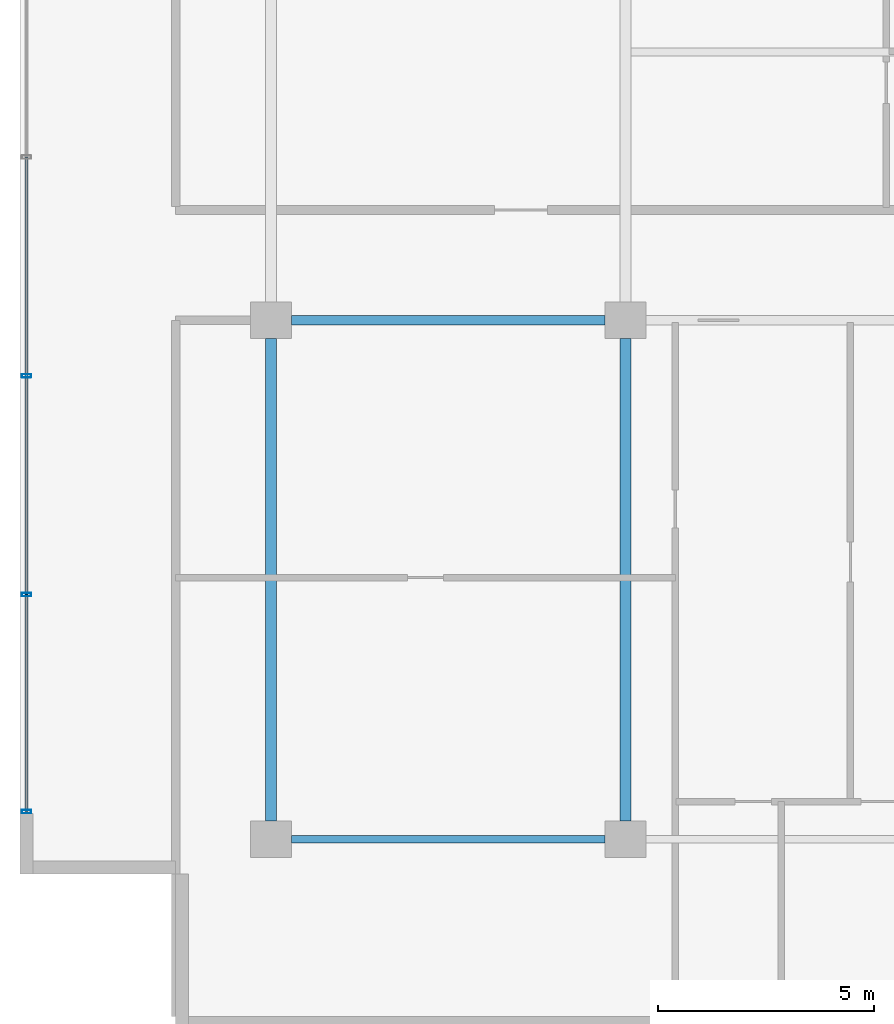
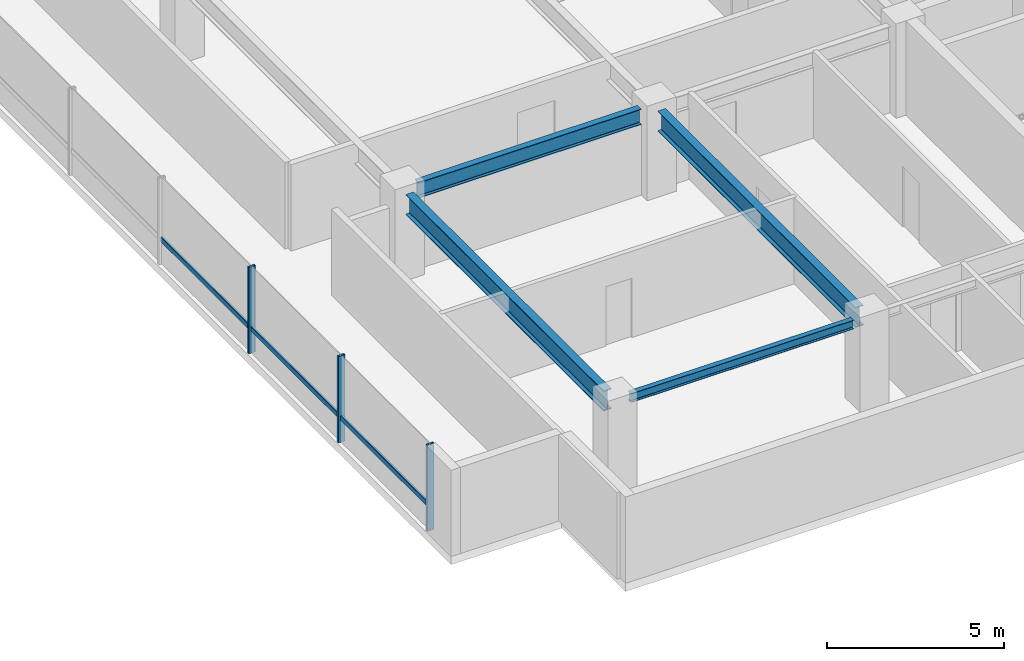
# One storey, part 10 of 38: 6 members, 4 beams, 1 element without a shape of its own.
"""IFC4 building model written with IfcOpenShell, lengths in metres."""

from ifc_helpers import new_model, si_unit, direction, frame, origin, origin_2d, place, context, subcontext, project, spatial, hollow_rectangle, i_section, extrude, material, layer, layer_set, material_profile, profile_set, type_object, element, aggregate, save


model = new_model("IFC4")

# Units and contexts
model_context = context("Model", 3, precision=1e-05, world=origin(), true_north=direction((0.0, 1.0)))
body_context = subcontext(model_context, "Body", "Model", "MODEL_VIEW")
ifc_project = project(units=[si_unit("LENGTHUNIT", "METRE"), si_unit("AREAUNIT", "SQUARE_METRE"), si_unit("VOLUMEUNIT", "CUBIC_METRE"), si_unit("PLANEANGLEUNIT", "RADIAN"), si_unit("MASSUNIT", "GRAM", prefix="KILO")], contexts=[model_context])

# Site, building, storey
site_placement = place(None, origin())
site = spatial("IfcSite", under=ifc_project, at=site_placement, CompositionType="ELEMENT")
building_placement = place(site_placement, origin())
building = spatial("IfcBuilding", under=site, at=building_placement, Name="Korimba Cascade Residences", CompositionType="ELEMENT")
storey_placement = place(building_placement, frame((0.0, 0.0, 93.800048828125)))
storey = spatial("IfcBuildingStorey", under=building, at=storey_placement, Name="L26", CompositionType="ELEMENT", Elevation=93.800048828125)

# Beams
ifc_material_1 = material(Name="Steel S355", Category="steel")
ifc_material_profile_1 = material_profile(ifc_material_1, i_section(OverallWidth=0.165771484375, OverallDepth=0.306640625, WebThickness=0.006591796875, FlangeThickness=0.01171875, FilletRadius=0.0087890625, at=origin_2d()), Name="Steel S355")
ifc_profile_set_1 = profile_set([ifc_material_profile_1], Name="Steel S355")
beam_type_1 = type_object("IfcBeamType", Name="BM-STL-UB305", PredefinedType="SPANDREL", material=ifc_profile_set_1)
beam_1_placement = place(storey_placement, frame((60.27490234375, 55.199951171875, 2.816650390625), z_axis=(1.0, 0.0, 0.0), x_axis=(0.0, 1.0, 0.0)))
element("IfcBeam", 1, at=beam_1_placement, inside=storey, type_object=beam_type_1, Name="L26 T1 E-W Girder Y1 Bay 1", PredefinedType="SPANDREL", context=body_context, shape_type="SweptSolid", body=[
    extrude(i_section(OverallWidth=0.165771484375, OverallDepth=0.306640625, WebThickness=0.006591796875, FlangeThickness=0.01171875, FilletRadius=0.0087890625, at=origin_2d()), origin(), (0.0, 0.0, 1.0), 7.25),
])
ifc_material_profile_2 = material_profile(ifc_material_1, i_section(OverallWidth=0.2099609375, OverallDepth=0.53662109375, WebThickness=0.0107421875, FlangeThickness=0.017333984375, FilletRadius=0.0126953125, at=origin_2d()), Name="Steel S355")
ifc_profile_set_2 = profile_set([ifc_material_profile_2], Name="Steel S355")
beam_type_2 = type_object("IfcBeamType", Name="BM-STL-UB533", PredefinedType="BEAM", material=ifc_profile_set_2)
beam_2_placement = place(storey_placement, frame((60.27490234375, 67.199951171875, 2.70166015625), z_axis=(1.0, 0.0, 0.0), x_axis=(0.0, 1.0, 0.0)))
element("IfcBeam", 2, at=beam_2_placement, inside=storey, type_object=beam_type_2, Name="L26 T1 E-W Girder Y2 Bay 1", PredefinedType="BEAM", context=body_context, shape_type="SweptSolid", body=[
    extrude(i_section(OverallWidth=0.2099609375, OverallDepth=0.53662109375, WebThickness=0.0107421875, FlangeThickness=0.017333984375, FilletRadius=0.0126953125, at=origin_2d()), origin(), (0.0, 0.0, 1.0), 7.25),
])
ifc_material_profile_3 = material_profile(ifc_material_1, i_section(OverallWidth=0.255859375, OverallDepth=0.69287109375, WebThickness=0.014404296875, FlangeThickness=0.023681640625, FilletRadius=0.01513671875, at=origin_2d()), Name="Steel S355")
ifc_profile_set_3 = profile_set([ifc_material_profile_3], Name="Steel S355")
beam_type_3 = type_object("IfcBeamType", Name="BM-STL-UB686", PredefinedType="BEAM", material=ifc_profile_set_3)
for number, where, z_axis, x_axis, name in (
    (3, (59.800048828125, 55.625, 2.62353515625), (0.0, 1.0, 0.0), (-1.0, 0.0, 0.0), "L26 T1 N-S Girder X1 Seg 1"),
    (4, (68.0, 55.625, 2.62353515625), (0.0, 1.0, 0.0), (-1.0, 0.0, 0.0), "L26 T1 N-S Girder X2 Seg 1"),
):
    element("IfcBeam", number, at=place(storey_placement, frame(where, z_axis=z_axis, x_axis=x_axis)), inside=storey, type_object=beam_type_3, Name=name, PredefinedType="BEAM", context=body_context, shape_type="SweptSolid", body=[
        extrude(i_section(OverallWidth=0.255859375, OverallDepth=0.69287109375, WebThickness=0.014404296875, FlangeThickness=0.023681640625, FilletRadius=0.01513671875, at=origin_2d()), origin(), (0.0, 0.0, 1.0), 11.14990234375),
    ])

# Curtain wall, members
ifc_material_2 = material(Name="Anodised Aluminium Curtain Wall Framing", Category="aluminium")
ifc_layer = layer(ifc_material_2, 0.179931640625)
ifc_layer_set = layer_set([ifc_layer], Name="Anodised Aluminium Curtain Wall Framing")
curtain_wall_type = type_object("IfcCurtainWallType", Name="CW-SKY-SYS2", PredefinedType="NOTDEFINED", material=ifc_layer_set)
curtain_wall_placement = place(storey_placement, origin())
curtain_wall = element("IfcCurtainWall", 5, at=curtain_wall_placement, inside=storey, type_object=curtain_wall_type, Name="L26 Curtain Wall CW-L26-T1-E9", PredefinedType="NOTDEFINED")
ifc_material_3 = material(Name="Anodised Aluminium Mullion", Category="aluminium")
ifc_material_profile_4 = material_profile(ifc_material_3, hollow_rectangle(XDim=0.080078125, YDim=0.219970703125, WallThickness=0.00634765625, InnerFilletRadius=0.00634765625, OuterFilletRadius=0.0126953125, at=origin_2d()), Name="Anodised Aluminium Mullion")
ifc_profile_set_4 = profile_set([ifc_material_profile_4], Name="Anodised Aluminium Mullion")
member_type_1 = type_object("IfcMemberType", Name="CWM-MUL-220", PredefinedType="MULLION", material=ifc_profile_set_4)
member_1_placement = place(storey_placement, frame((54.14990234375, 65.914306640625, 0.0), z_axis=(0.0, 0.0, 1.0), x_axis=(0.0, -1.0, 0.0)))
member_1 = element("IfcMember", 6, at=member_1_placement, type_object=member_type_1, Name="CW-L26-T1-E9 Mullion 6", PredefinedType="MULLION", context=body_context, shape_type="SweptSolid", body=[
    extrude(hollow_rectangle(XDim=0.080078125, YDim=0.219970703125, WallThickness=0.00634765625, InnerFilletRadius=0.00634765625, OuterFilletRadius=0.0126953125, at=origin_2d()), origin(), (0.0, 0.0, 1.0), 2.969970703125),
])
member_2_placement = place(storey_placement, frame((54.14990234375, 60.857177734375, 0.0), z_axis=(0.0, 0.0, 1.0), x_axis=(0.0, -1.0, 0.0)))
member_2 = element("IfcMember", 7, at=member_2_placement, type_object=member_type_1, Name="CW-L26-T1-E9 Mullion 7", PredefinedType="MULLION", context=body_context, shape_type="SweptSolid", body=[
    extrude(hollow_rectangle(XDim=0.080078125, YDim=0.219970703125, WallThickness=0.00634765625, InnerFilletRadius=0.00634765625, OuterFilletRadius=0.0126953125, at=origin_2d()), origin(), (0.0, 0.0, 1.0), 2.969970703125),
])
member_3_placement = place(storey_placement, frame((54.14990234375, 55.840087890625, 0.0), z_axis=(0.0, 0.0, 1.0), x_axis=(0.0, -1.0, 0.0)))
member_3 = element("IfcMember", 8, at=member_3_placement, type_object=member_type_1, Name="CW-L26-T1-E9 Mullion 8", PredefinedType="MULLION", context=body_context, shape_type="SweptSolid", body=[
    extrude(hollow_rectangle(XDim=0.080078125, YDim=0.219970703125, WallThickness=0.00634765625, InnerFilletRadius=0.00634765625, OuterFilletRadius=0.0126953125, at=origin_2d()), origin(), (0.0, 0.0, 1.0), 2.969970703125),
])
ifc_material_4 = material(Name="Anodised Aluminium Transom", Category="aluminium")
ifc_material_profile_5 = material_profile(ifc_material_4, hollow_rectangle(XDim=0.070068359375, YDim=0.179931640625, WallThickness=0.0048828125, InnerFilletRadius=0.0048828125, OuterFilletRadius=0.010009765625, at=origin_2d()), Name="Anodised Aluminium Transom")
ifc_profile_set_5 = profile_set([ifc_material_profile_5], Name="Anodised Aluminium Transom")
member_type_2 = type_object("IfcMemberType", Name="CWM-TRN-150", PredefinedType="USERDEFINED", material=ifc_profile_set_5)
member_4_placement = place(storey_placement, frame((54.14990234375, 70.971435546875, 0.83154296875), z_axis=(0.0, -1.0, 0.0), x_axis=(1.0, 0.0, 0.0)))
member_4 = element("IfcMember", 9, at=member_4_placement, type_object=member_type_2, Name="CW-L26-T1-E9 Transom 5", ObjectType="TRANSOM", PredefinedType="USERDEFINED", context=body_context, shape_type="SweptSolid", body=[
    extrude(hollow_rectangle(XDim=0.070068359375, YDim=0.179931640625, WallThickness=0.0048828125, InnerFilletRadius=0.0048828125, OuterFilletRadius=0.010009765625, at=origin_2d()), origin(), (0.0, 0.0, 1.0), 5.05712890625),
])
member_5_placement = place(storey_placement, frame((54.14990234375, 65.914306640625, 0.83154296875), z_axis=(0.0, -1.0, 0.0), x_axis=(1.0, 0.0, 0.0)))
member_5 = element("IfcMember", 10, at=member_5_placement, type_object=member_type_2, Name="CW-L26-T1-E9 Transom 6", ObjectType="TRANSOM", PredefinedType="USERDEFINED", context=body_context, shape_type="SweptSolid", body=[
    extrude(hollow_rectangle(XDim=0.070068359375, YDim=0.179931640625, WallThickness=0.0048828125, InnerFilletRadius=0.0048828125, OuterFilletRadius=0.010009765625, at=origin_2d()), origin(), (0.0, 0.0, 1.0), 5.05712890625),
])
member_6_placement = place(storey_placement, frame((54.14990234375, 60.857177734375, 0.83154296875), z_axis=(0.0, -1.0, 0.0), x_axis=(1.0, 0.0, 0.0)))
member_6 = element("IfcMember", 11, at=member_6_placement, type_object=member_type_2, Name="CW-L26-T1-E9 Transom 7", ObjectType="TRANSOM", PredefinedType="USERDEFINED", context=body_context, shape_type="SweptSolid", body=[
    extrude(hollow_rectangle(XDim=0.070068359375, YDim=0.179931640625, WallThickness=0.0048828125, InnerFilletRadius=0.0048828125, OuterFilletRadius=0.010009765625, at=origin_2d()), origin(), (0.0, 0.0, 1.0), 5.01708984375),
])
aggregate(curtain_wall, [member_1, member_2, member_3, member_4, member_5, member_6])

save(model, "model.ifc")
